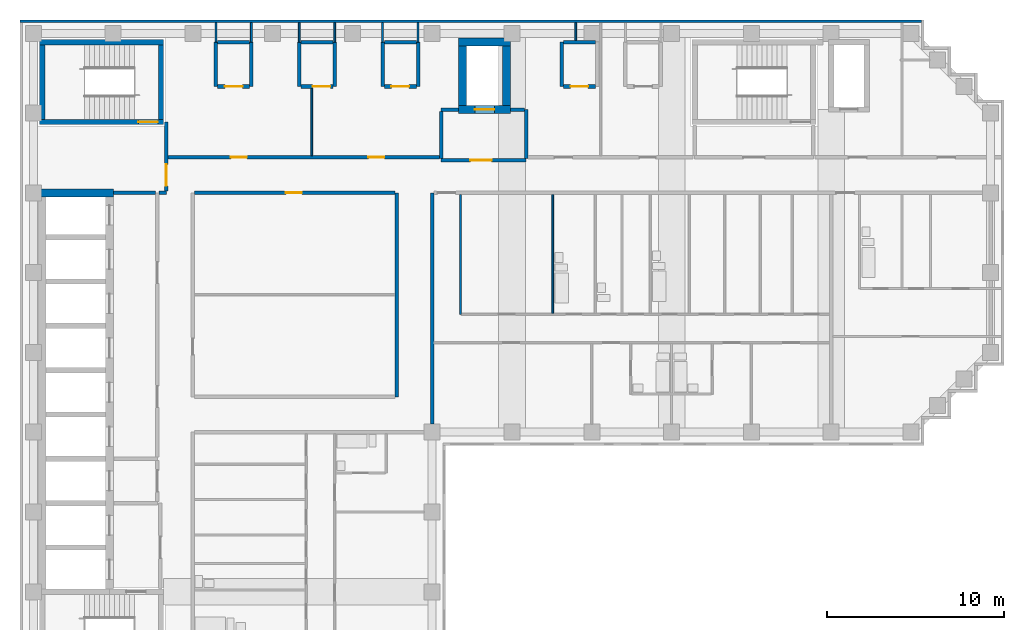
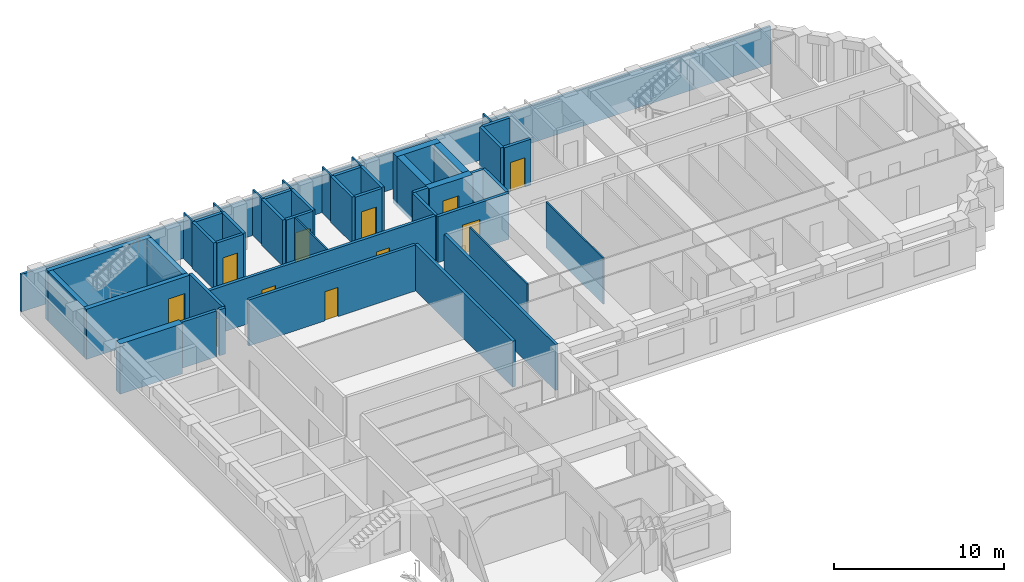
# One storey, part 5 of 10: 47 walls, 11 doors, 11 openings.
"""IFC4 building model written with IfcOpenShell, lengths in metres."""

from ifc_helpers import new_model, si_unit, direction, frame, frame_2d, origin, place, context, subcontext, project, spatial, rectangle, extrude, material, layer, layer_set, type_object, element, fill, save


model = new_model("IFC4")

# Units and contexts
model_context = context("Model", 3, precision=1e-05, world=origin(), true_north=direction((0.0, 1.0)))
body_context = subcontext(model_context, "Body", "Model", "MODEL_VIEW")
ifc_project = project(units=[si_unit("LENGTHUNIT", "METRE"), si_unit("AREAUNIT", "SQUARE_METRE"), si_unit("VOLUMEUNIT", "CUBIC_METRE"), si_unit("PLANEANGLEUNIT", "RADIAN"), si_unit("MASSUNIT", "GRAM", prefix="KILO")], contexts=[model_context])

# Site, building, storey
site_placement = place(None, origin())
site = spatial("IfcSite", under=ifc_project, at=site_placement, CompositionType="ELEMENT")
building_placement = place(site_placement, origin())
building = spatial("IfcBuilding", under=site, at=building_placement, Name="Firuza Court", CompositionType="ELEMENT")
storey_placement = place(building_placement, frame((0.0, 0.0, 204.199951171875)))
storey = spatial("IfcBuildingStorey", under=building, at=storey_placement, Name="L52", CompositionType="ELEMENT", Elevation=204.199951171875)

# Wall
ifc_material_1 = material(Name="Moisture-resistant gypsum board partition")
ifc_layer_1 = layer(ifc_material_1, 0.10009765625)
ifc_layer_set_1 = layer_set([ifc_layer_1], Name="Moisture-resistant gypsum board partition")
wall_type_1 = type_object("IfcWallType", Name="Bathroom partition 100", PredefinedType="PLUMBINGWALL", material=ifc_layer_set_1)
wall_1_placement = place(storey_placement, frame((29.300048828125, 42.699951171875, 0.0), z_axis=(0.0, 0.0, 1.0), x_axis=(0.0, 1.0, 0.0)))
element("IfcWall", 1, at=wall_1_placement, inside=storey, type_object=wall_type_1, Name="Bathroom partition 100 L52", PredefinedType="PLUMBINGWALL", context=body_context, shape_type="SweptSolid", body=[
    extrude(rectangle(XDim=6.699951171875, YDim=0.10009765625, at=frame_2d((3.35009765625, 0.0))), origin(), (0.0, 0.0, 1.0), 3.300048828125),
])

# Wall, opening, door
ifc_material_2 = material(Name="Concrete C50/60", Category="concrete")
ifc_layer_2 = layer(ifc_material_2, 0.300048828125)
ifc_layer_set_2 = layer_set([ifc_layer_2], Name="Concrete C50/60")
wall_type_2 = type_object("IfcWallType", Name="Core wall 300 C50/60", PredefinedType="SHEAR", material=ifc_layer_set_2)
wall_2_placement = place(storey_placement, frame((0.35009765625, 53.5, -0.300048828125), z_axis=(0.0, 0.0, 1.0), x_axis=(1.0, 0.0, 0.0)))
wall_2 = element("IfcWall", 2, at=wall_2_placement, inside=storey, type_object=wall_type_2, Name="Core wall stair L52", PredefinedType="SHEAR", context=body_context, shape_type="SweptSolid", body=[
    extrude(rectangle(XDim=7.0, YDim=0.300048828125, at=frame_2d((3.5, 0.0))), origin(), (0.0, 0.0, 1.0), 3.60009765625),
])
opening_1_placement = place(wall_2_placement, frame((5.580078125, 0.0, 0.300048828125)))
opening_1 = element("IfcOpeningElement", 3, at=opening_1_placement, cuts=wall_2, Name="Opening D52014", PredefinedType="OPENING", context=body_context, shape_type="SweptSolid", body=[
    extrude(rectangle(XDim=1.10009765625, YDim=2.10009765625, at=frame_2d((0.550048828125, 1.050048828125))), frame((0.0, 0.162109375, 0.0), z_axis=(0.0, -1.0, 0.0), x_axis=(1.0, 0.0, 0.0)), (0.0, 0.0, 1.0), 0.323974609375),
])
ifc_material_3 = material(Name="Timber door leaf in hardwood frame", Category="wood")
door_type_1 = type_object("IfcDoorType", Name="Stair door 1100", OperationType="SINGLE_SWING_LEFT", PredefinedType="DOOR", material=ifc_material_3)
door_1_placement = place(opening_1_placement, origin())
door_1 = element("IfcDoor", 4, at=door_1_placement, inside=storey, type_object=door_type_1, Name="Stair door S3", OperationType="SINGLE_SWING_RIGHT", OverallHeight=2.10009765625, OverallWidth=1.10009765625, PredefinedType="DOOR", context=body_context, shape_type="SweptSolid", body=[
    extrude(rectangle(XDim=1.10009765625, YDim=2.10009765625, at=frame_2d((0.550048828125, 1.050048828125))), frame((0.0, 0.02490234375, 0.0), z_axis=(0.0, -1.0, 0.0), x_axis=(1.0, 0.0, 0.0)), (0.0, 0.0, 1.0), 0.050048828125),
])
fill(opening_1, door_1)

# Walls
wall_3_placement = place(storey_placement, frame((0.35009765625, 58.0, -0.300048828125), z_axis=(0.0, 0.0, 1.0), x_axis=(1.0, 0.0, 0.0)))
element("IfcWall", 5, at=wall_3_placement, inside=storey, type_object=wall_type_2, Name="Core wall stair L52", PredefinedType="SHEAR", context=body_context, shape_type="SweptSolid", body=[
    extrude(rectangle(XDim=7.0, YDim=0.300048828125, at=frame_2d((3.5, 0.0))), origin(), (0.0, 0.0, 1.0), 3.60009765625),
])
for number, where, z_axis, x_axis, name in (
    (6, (0.5, 53.64990234375, -0.300048828125), (0.0, 0.0, 1.0), (0.0, 1.0, 0.0), "Core wall stair L52"),
    (7, (7.199951171875, 53.64990234375, -0.300048828125), (0.0, 0.0, 1.0), (0.0, 1.0, 0.0), "Core wall stair L52"),
):
    element("IfcWall", number, at=place(storey_placement, frame(where, z_axis=z_axis, x_axis=x_axis)), inside=storey, type_object=wall_type_2, Name=name, PredefinedType="SHEAR", context=body_context, shape_type="SweptSolid", body=[
        extrude(rectangle(XDim=4.2001953125, YDim=0.300048828125, at=frame_2d((2.10009765625, 0.0))), origin(), (0.0, 0.0, 1.0), 3.60009765625),
    ])
ifc_layer_3 = layer(ifc_material_2, 0.449951171875)
ifc_layer_set_3 = layer_set([ifc_layer_3], Name="Concrete C50/60")
wall_type_3 = type_object("IfcWallType", Name="Core wall 450 C50/60", PredefinedType="SHEAR", material=ifc_layer_set_3)
wall_4_placement = place(storey_placement, frame((0.27490234375, 49.5, -0.300048828125), z_axis=(0.0, 0.0, 1.0), x_axis=(1.0, 0.0, 0.0)))
element("IfcWall", 8, at=wall_4_placement, inside=storey, type_object=wall_type_3, Name="Core wall lift shaft L52", PredefinedType="SHEAR", context=body_context, shape_type="SweptSolid", body=[
    extrude(rectangle(XDim=4.25, YDim=0.449951171875, at=frame_2d((2.125, 0.0))), origin(), (0.0, 0.0, 1.0), 3.60009765625),
])

# Wall, opening, door
wall_5_placement = place(storey_placement, frame((23.97509765625, 54.199951171875, -0.300048828125), z_axis=(0.0, 0.0, 1.0), x_axis=(1.0, 0.0, 0.0)))
wall_5 = element("IfcWall", 9, at=wall_5_placement, inside=storey, type_object=wall_type_3, Name="Core wall lift shaft L52", PredefinedType="SHEAR", context=body_context, shape_type="SweptSolid", body=[
    extrude(rectangle(XDim=2.949951171875, YDim=0.449951171875, at=frame_2d((1.47509765625, 0.0))), origin(), (0.0, 0.0, 1.0), 3.60009765625),
])
opening_2_placement = place(wall_5_placement, frame((0.925048828125, 0.0, 0.300048828125)))
opening_2 = element("IfcOpeningElement", 10, at=opening_2_placement, cuts=wall_5, Name="Opening LD-FL3-52", PredefinedType="OPENING", context=body_context, shape_type="SweptSolid", body=[
    extrude(rectangle(XDim=1.10009765625, YDim=2.10009765625, at=frame_2d((0.550048828125, 1.050048828125))), frame((0.0, 0.23681640625, 0.0), z_axis=(0.0, -1.0, 0.0), x_axis=(1.0, 0.0, 0.0)), (0.0, 0.0, 1.0), 0.473876953125),
])
ifc_material_4 = material(Name="Stainless steel 1.4301 door leaf", Category="steel")
door_type_2 = type_object("IfcDoorType", Name="Lift landing door 1100", OperationType="SLIDING_TO_LEFT", PredefinedType="DOOR", material=ifc_material_4)
door_2_placement = place(opening_2_placement, origin())
door_2 = element("IfcDoor", 11, at=door_2_placement, inside=storey, type_object=door_type_2, Name="Landing door FL3", OperationType="SLIDING_TO_LEFT", OverallHeight=2.10009765625, OverallWidth=1.10009765625, PredefinedType="DOOR", context=body_context, shape_type="SweptSolid", body=[
    extrude(rectangle(XDim=1.10009765625, YDim=2.10009765625, at=frame_2d((0.550048828125, 1.050048828125))), frame((0.0, 0.02490234375, 0.0), z_axis=(0.0, -1.0, 0.0), x_axis=(1.0, 0.0, 0.0)), (0.0, 0.0, 1.0), 0.050048828125),
])
fill(opening_2, door_2)

# Walls
wall_6_placement = place(storey_placement, frame((23.97509765625, 58.0, -0.300048828125), z_axis=(0.0, 0.0, 1.0), x_axis=(1.0, 0.0, 0.0)))
element("IfcWall", 12, at=wall_6_placement, inside=storey, type_object=wall_type_3, Name="Core wall lift shaft L52", PredefinedType="SHEAR", context=body_context, shape_type="SweptSolid", body=[
    extrude(rectangle(XDim=2.949951171875, YDim=0.449951171875, at=frame_2d((1.47509765625, 0.0))), origin(), (0.0, 0.0, 1.0), 3.60009765625),
])
for number, where, z_axis, x_axis, name in (
    (13, (24.199951171875, 54.425048828125, -0.300048828125), (0.0, 0.0, 1.0), (0.0, 1.0, 0.0), "Core wall lift shaft L52"),
    (14, (26.699951171875, 54.425048828125, -0.300048828125), (0.0, 0.0, 1.0), (0.0, 1.0, 0.0), "Core wall lift shaft L52"),
):
    element("IfcWall", number, at=place(storey_placement, frame(where, z_axis=z_axis, x_axis=x_axis)), inside=storey, type_object=wall_type_3, Name=name, PredefinedType="SHEAR", context=body_context, shape_type="SweptSolid", body=[
        extrude(rectangle(XDim=3.349853515625, YDim=0.449951171875, at=frame_2d((1.6748046875, 0.0))), origin(), (0.0, 0.0, 1.0), 3.60009765625),
    ])
ifc_material_5 = material(Name="Blockwork, plastered both sides", Category="masonry")
ifc_layer_4 = layer(ifc_material_5, 0.199951171875)
ifc_layer_set_4 = layer_set([ifc_layer_4], Name="Blockwork, plastered both sides")
wall_type_4 = type_object("IfcWallType", Name="Corridor wall 200", PredefinedType="PARTITIONING", material=ifc_layer_set_4)
wall_7_placement = place(storey_placement, frame((20.5, 38.0, 0.0), z_axis=(0.0, 0.0, 1.0), x_axis=(0.0, 1.0, 0.0)))
element("IfcWall", 15, at=wall_7_placement, inside=storey, type_object=wall_type_4, Name="Corridor wall 200 L52", PredefinedType="PARTITIONING", context=body_context, shape_type="SweptSolid", body=[
    extrude(rectangle(XDim=11.5, YDim=0.199951171875, at=frame_2d((5.75, 0.0))), origin(), (0.0, 0.0, 1.0), 3.300048828125),
])

# Wall, opening, door
wall_8_placement = place(storey_placement, frame((9.10009765625, 49.5, 0.0), z_axis=(0.0, 0.0, 1.0), x_axis=(1.0, 0.0, 0.0)))
wall_8 = element("IfcWall", 16, at=wall_8_placement, inside=storey, type_object=wall_type_4, Name="Corridor wall 200 L52", PredefinedType="PARTITIONING", context=body_context, shape_type="SweptSolid", body=[
    extrude(rectangle(XDim=11.2998046875, YDim=0.199951171875, at=frame_2d((5.64990234375, 0.0))), origin(), (0.0, 0.0, 1.0), 3.300048828125),
])
opening_3_placement = place(wall_8_placement, frame((5.14990234375, 0.0, 0.0)))
opening_3 = element("IfcOpeningElement", 17, at=opening_3_placement, cuts=wall_8, Name="Opening D52056", PredefinedType="OPENING", context=body_context, shape_type="SweptSolid", body=[
    extrude(rectangle(XDim=0.89990234375, YDim=2.10009765625, at=frame_2d((0.449951171875, 1.050048828125))), frame((0.0, 0.11181640625, 0.0), z_axis=(0.0, -1.0, 0.0), x_axis=(1.0, 0.0, 0.0)), (0.0, 0.0, 1.0), 0.223876953125),
])
ifc_material_6 = material(Name="Timber door leaf in hardwood frame", Category="wood")
door_type_3 = type_object("IfcDoorType", Name="Room door 900 EI 30", OperationType="SINGLE_SWING_LEFT", PredefinedType="DOOR", material=ifc_material_6)
door_3_placement = place(opening_3_placement, origin())
door_3 = element("IfcDoor", 18, at=door_3_placement, inside=storey, type_object=door_type_3, Name="Residents' club lounge door", OperationType="SINGLE_SWING_LEFT", OverallHeight=2.10009765625, OverallWidth=0.89990234375, PredefinedType="DOOR", context=body_context, shape_type="SweptSolid", body=[
    extrude(rectangle(XDim=0.89990234375, YDim=2.10009765625, at=frame_2d((0.449951171875, 1.050048828125))), frame((0.0, 0.02490234375, 0.0), z_axis=(0.0, -1.0, 0.0), x_axis=(1.0, 0.0, 0.0)), (0.0, 0.0, 1.0), 0.050048828125),
])
fill(opening_3, door_3)

# Wall, openings, doors
wall_9_placement = place(storey_placement, frame((7.60009765625, 51.5, 0.0), z_axis=(0.0, 0.0, 1.0), x_axis=(1.0, 0.0, 0.0)))
wall_9 = element("IfcWall", 19, at=wall_9_placement, inside=storey, type_object=wall_type_4, Name="Corridor wall 200 L52", PredefinedType="PARTITIONING", context=body_context, shape_type="SweptSolid", body=[
    extrude(rectangle(XDim=15.2998046875, YDim=0.199951171875, at=frame_2d((7.64990234375, 0.0))), origin(), (0.0, 0.0, 1.0), 3.300048828125),
])
opening_4_placement = place(wall_9_placement, frame((3.550048828125, 0.0, 0.0)))
opening_4 = element("IfcOpeningElement", 20, at=opening_4_placement, cuts=wall_9, Name="Opening D52059", PredefinedType="OPENING", context=body_context, shape_type="SweptSolid", body=[
    extrude(rectangle(XDim=0.89990234375, YDim=2.10009765625, at=frame_2d((0.449951171875, 1.050048828125))), frame((0.0, 0.11181640625, 0.0), z_axis=(0.0, -1.0, 0.0), x_axis=(1.0, 0.0, 0.0)), (0.0, 0.0, 1.0), 0.223876953125),
])
opening_5_placement = place(wall_9_placement, frame((11.300048828125, 0.0, 0.0)))
opening_5 = element("IfcOpeningElement", 21, at=opening_5_placement, cuts=wall_9, Name="Opening D52060", PredefinedType="OPENING", context=body_context, shape_type="SweptSolid", body=[
    extrude(rectangle(XDim=0.89990234375, YDim=2.10009765625, at=frame_2d((0.449951171875, 1.050048828125))), frame((0.0, 0.11181640625, 0.0), z_axis=(0.0, -1.0, 0.0), x_axis=(1.0, 0.0, 0.0)), (0.0, 0.0, 1.0), 0.223876953125),
])
door_4_placement = place(opening_4_placement, origin())
door_4 = element("IfcDoor", 22, at=door_4_placement, inside=storey, type_object=door_type_3, Name="Meeting room door", OperationType="SINGLE_SWING_LEFT", OverallHeight=2.10009765625, OverallWidth=0.89990234375, PredefinedType="DOOR", context=body_context, shape_type="SweptSolid", body=[
    extrude(rectangle(XDim=0.89990234375, YDim=2.10009765625, at=frame_2d((0.449951171875, 1.050048828125))), frame((0.0, 0.02490234375, 0.0), z_axis=(0.0, -1.0, 0.0), x_axis=(1.0, 0.0, 0.0)), (0.0, 0.0, 1.0), 0.050048828125),
])
fill(opening_4, door_4)
door_5_placement = place(opening_5_placement, origin())
door_5 = element("IfcDoor", 23, at=door_5_placement, inside=storey, type_object=door_type_3, Name="Meeting room door", OperationType="SINGLE_SWING_LEFT", OverallHeight=2.10009765625, OverallWidth=0.89990234375, PredefinedType="DOOR", context=body_context, shape_type="SweptSolid", body=[
    extrude(rectangle(XDim=0.89990234375, YDim=2.10009765625, at=frame_2d((0.449951171875, 1.050048828125))), frame((0.0, 0.02490234375, 0.0), z_axis=(0.0, -1.0, 0.0), x_axis=(1.0, 0.0, 0.0)), (0.0, 0.0, 1.0), 0.050048828125),
])
fill(opening_5, door_5)

# Walls
ifc_material_7 = material(Name="Timber stud partition, plasterboard both sides", Category="wood")
ifc_layer_5 = layer(ifc_material_7, 0.10009765625)
ifc_layer_set_5 = layer_set([ifc_layer_5], Name="Timber stud partition, plasterboard both sides")
wall_type_5 = type_object("IfcWallType", Name="Partition wall 100", PredefinedType="PARTITIONING", material=ifc_layer_set_5)
wall_10_placement = place(storey_placement, frame((24.10009765625, 42.64990234375, 0.0), z_axis=(0.0, 0.0, 1.0), x_axis=(0.0, 1.0, 0.0)))
element("IfcWall", 24, at=wall_10_placement, inside=storey, type_object=wall_type_5, Name="Partition wall 100 L52", PredefinedType="PARTITIONING", context=body_context, shape_type="SweptSolid", body=[
    extrude(rectangle(XDim=6.75, YDim=0.10009765625, at=frame_2d((3.375, 0.0))), origin(), (0.0, 0.0, 1.0), 3.300048828125),
])
wall_11_placement = place(storey_placement, frame((15.699951171875, 51.60009765625, 0.0), z_axis=(0.0, 0.0, 1.0), x_axis=(0.0, 1.0, 0.0)))
element("IfcWall", 25, at=wall_11_placement, inside=storey, type_object=wall_type_5, Name="Partition wall 100 L52", PredefinedType="PARTITIONING", context=body_context, shape_type="SweptSolid", body=[
    extrude(rectangle(XDim=3.7998046875, YDim=0.10009765625, at=frame_2d((1.89990234375, 0.0))), origin(), (0.0, 0.0, 1.0), 3.300048828125),
])
for number, where, z_axis, x_axis, name in (
    (26, (10.300048828125, 58.0, 0.0), (0.0, 0.0, 1.0), (0.0, 1.0, 0.0), "Partition wall 100 L52"),
    (27, (12.300048828125, 58.0, 0.0), (0.0, 0.0, 1.0), (0.0, 1.0, 0.0), "Partition wall 100 L52"),
    (28, (15.0, 58.0, 0.0), (0.0, 0.0, 1.0), (0.0, 1.0, 0.0), "Partition wall 100 L52"),
    (29, (17.0, 58.0, 0.0), (0.0, 0.0, 1.0), (0.0, 1.0, 0.0), "Partition wall 100 L52"),
    (30, (19.699951171875, 58.0, 0.0), (0.0, 0.0, 1.0), (0.0, 1.0, 0.0), "Partition wall 100 L52"),
    (31, (21.699951171875, 58.0, 0.0), (0.0, 0.0, 1.0), (0.0, 1.0, 0.0), "Partition wall 100 L52"),
):
    element("IfcWall", number, at=place(storey_placement, frame(where, z_axis=z_axis, x_axis=x_axis)), inside=storey, type_object=wall_type_5, Name=name, PredefinedType="PARTITIONING", context=body_context, shape_type="SweptSolid", body=[
        extrude(rectangle(XDim=1.10009765625, YDim=0.10009765625, at=frame_2d((0.550048828125, 0.0))), origin(), (0.0, 0.0, 1.0), 3.300048828125),
    ])
wall_12_placement = place(storey_placement, frame((30.60009765625, 58.10009765625, 0.0), z_axis=(0.0, 0.0, 1.0), x_axis=(0.0, 1.0, 0.0)))
element("IfcWall", 32, at=wall_12_placement, inside=storey, type_object=wall_type_5, Name="Partition wall 100 L52", PredefinedType="PARTITIONING", context=body_context, shape_type="SweptSolid", body=[
    extrude(rectangle(XDim=1.0, YDim=0.10009765625, at=frame_2d((0.5, 0.0))), origin(), (0.0, 0.0, 1.0), 3.300048828125),
])
ifc_layer_6 = layer(ifc_material_5, 0.199951171875)
ifc_layer_set_6 = layer_set([ifc_layer_6], Name="Blockwork, plastered both sides")
wall_type_6 = type_object("IfcWallType", Name="Party wall 200", PredefinedType="PARTITIONING", material=ifc_layer_set_6)
wall_13_placement = place(storey_placement, frame((22.5, 36.449951171875, 0.0), z_axis=(0.0, 0.0, 1.0), x_axis=(0.0, 1.0, 0.0)))
element("IfcWall", 33, at=wall_13_placement, inside=storey, type_object=wall_type_6, Name="Party wall 200 L52", PredefinedType="PARTITIONING", context=body_context, shape_type="SweptSolid", body=[
    extrude(rectangle(XDim=13.050048828125, YDim=0.199951171875, at=frame_2d((6.52490234375, 0.0))), origin(), (0.0, 0.0, 1.0), 3.300048828125),
])
ifc_material_8 = material(Name="Blockwork, fire-rated", Category="masonry")
ifc_layer_7 = layer(ifc_material_8, 0.199951171875)
ifc_layer_set_7 = layer_set([ifc_layer_7], Name="Blockwork, fire-rated")
wall_type_7 = type_object("IfcWallType", Name="Plant room wall 200", PredefinedType="PARTITIONING", material=ifc_layer_set_7)
wall_14_placement = place(storey_placement, frame((10.300048828125, 55.5, 0.0), z_axis=(0.0, 0.0, 1.0), x_axis=(0.0, 1.0, 0.0)))
element("IfcWall", 34, at=wall_14_placement, inside=storey, type_object=wall_type_7, Name="Plant room wall 200 L52", PredefinedType="PARTITIONING", context=body_context, shape_type="SweptSolid", body=[
    extrude(rectangle(XDim=2.5, YDim=0.199951171875, at=frame_2d((1.25, 0.0))), origin(), (0.0, 0.0, 1.0), 3.300048828125),
])

# Wall, opening, door
wall_15_placement = place(storey_placement, frame((10.39990234375, 55.5, 0.0), z_axis=(0.0, 0.0, 1.0), x_axis=(1.0, 0.0, 0.0)))
wall_15 = element("IfcWall", 35, at=wall_15_placement, inside=storey, type_object=wall_type_7, Name="Plant room wall 200 L52", PredefinedType="PARTITIONING", context=body_context, shape_type="SweptSolid", body=[
    extrude(rectangle(XDim=1.800048828125, YDim=0.199951171875, at=frame_2d((0.89990234375, 0.0))), origin(), (0.0, 0.0, 1.0), 3.300048828125),
])
opening_6_placement = place(wall_15_placement, frame((0.39990234375, 0.0, 0.0)))
opening_6 = element("IfcOpeningElement", 36, at=opening_6_placement, cuts=wall_15, Name="Opening D52065", PredefinedType="OPENING", context=body_context, shape_type="SweptSolid", body=[
    extrude(rectangle(XDim=1.0, YDim=2.10009765625, at=frame_2d((0.5, 1.050048828125))), frame((0.0, 0.11181640625, 0.0), z_axis=(0.0, -1.0, 0.0), x_axis=(1.0, 0.0, 0.0)), (0.0, 0.0, 1.0), 0.223876953125),
])
ifc_material_9 = material(Name="Timber door leaf in hardwood frame", Category="wood")
door_type_4 = type_object("IfcDoorType", Name="Riser door 1000", OperationType="SINGLE_SWING_LEFT", PredefinedType="DOOR", material=ifc_material_9)
door_6_placement = place(opening_6_placement, origin())
door_6 = element("IfcDoor", 37, at=door_6_placement, inside=storey, type_object=door_type_4, Name="Comms riser door", OperationType="SINGLE_SWING_LEFT", OverallHeight=2.10009765625, OverallWidth=1.0, PredefinedType="DOOR", context=body_context, shape_type="SweptSolid", body=[
    extrude(rectangle(XDim=1.0, YDim=2.10009765625, at=frame_2d((0.5, 1.050048828125))), frame((0.0, 0.02490234375, 0.0), z_axis=(0.0, -1.0, 0.0), x_axis=(1.0, 0.0, 0.0)), (0.0, 0.0, 1.0), 0.050048828125),
])
fill(opening_6, door_6)

# Walls
for number, where, z_axis, x_axis, name in (
    (38, (12.300048828125, 55.5, 0.0), (0.0, 0.0, 1.0), (0.0, 1.0, 0.0), "Plant room wall 200 L52"),
    (39, (15.0, 55.5, 0.0), (0.0, 0.0, 1.0), (0.0, 1.0, 0.0), "Plant room wall 200 L52"),
):
    element("IfcWall", number, at=place(storey_placement, frame(where, z_axis=z_axis, x_axis=x_axis)), inside=storey, type_object=wall_type_7, Name=name, PredefinedType="PARTITIONING", context=body_context, shape_type="SweptSolid", body=[
        extrude(rectangle(XDim=2.5, YDim=0.199951171875, at=frame_2d((1.25, 0.0))), origin(), (0.0, 0.0, 1.0), 3.300048828125),
    ])

# Wall, opening, door
wall_16_placement = place(storey_placement, frame((15.10009765625, 55.5, 0.0), z_axis=(0.0, 0.0, 1.0), x_axis=(1.0, 0.0, 0.0)))
wall_16 = element("IfcWall", 40, at=wall_16_placement, inside=storey, type_object=wall_type_7, Name="Plant room wall 200 L52", PredefinedType="PARTITIONING", context=body_context, shape_type="SweptSolid", body=[
    extrude(rectangle(XDim=1.7998046875, YDim=0.199951171875, at=frame_2d((0.89990234375, 0.0))), origin(), (0.0, 0.0, 1.0), 3.300048828125),
])
opening_7_placement = place(wall_16_placement, frame((0.64990234375, 0.0, 0.0)))
opening_7 = element("IfcOpeningElement", 41, at=opening_7_placement, cuts=wall_16, Name="Opening D52066", PredefinedType="OPENING", context=body_context, shape_type="SweptSolid", body=[
    extrude(rectangle(XDim=1.0, YDim=2.10009765625, at=frame_2d((0.5, 1.050048828125))), frame((0.0, 0.11181640625, 0.0), z_axis=(0.0, -1.0, 0.0), x_axis=(1.0, 0.0, 0.0)), (0.0, 0.0, 1.0), 0.223876953125),
])
door_7_placement = place(opening_7_placement, origin())
door_7 = element("IfcDoor", 42, at=door_7_placement, inside=storey, type_object=door_type_4, Name="Electrical riser door", OperationType="SINGLE_SWING_RIGHT", OverallHeight=2.10009765625, OverallWidth=1.0, PredefinedType="DOOR", context=body_context, shape_type="SweptSolid", body=[
    extrude(rectangle(XDim=1.0, YDim=2.10009765625, at=frame_2d((0.5, 1.050048828125))), frame((0.0, 0.02490234375, 0.0), z_axis=(0.0, -1.0, 0.0), x_axis=(1.0, 0.0, 0.0)), (0.0, 0.0, 1.0), 0.050048828125),
])
fill(opening_7, door_7)

# Walls
for number, where, z_axis, x_axis, name in (
    (43, (17.0, 55.5, 0.0), (0.0, 0.0, 1.0), (0.0, 1.0, 0.0), "Plant room wall 200 L52"),
    (44, (19.699951171875, 55.5, 0.0), (0.0, 0.0, 1.0), (0.0, 1.0, 0.0), "Plant room wall 200 L52"),
):
    element("IfcWall", number, at=place(storey_placement, frame(where, z_axis=z_axis, x_axis=x_axis)), inside=storey, type_object=wall_type_7, Name=name, PredefinedType="PARTITIONING", context=body_context, shape_type="SweptSolid", body=[
        extrude(rectangle(XDim=2.5, YDim=0.199951171875, at=frame_2d((1.25, 0.0))), origin(), (0.0, 0.0, 1.0), 3.300048828125),
    ])

# Wall, opening, door
wall_17_placement = place(storey_placement, frame((19.800048828125, 55.5, 0.0), z_axis=(0.0, 0.0, 1.0), x_axis=(1.0, 0.0, 0.0)))
wall_17 = element("IfcWall", 45, at=wall_17_placement, inside=storey, type_object=wall_type_7, Name="Plant room wall 200 L52", PredefinedType="PARTITIONING", context=body_context, shape_type="SweptSolid", body=[
    extrude(rectangle(XDim=1.800048828125, YDim=0.199951171875, at=frame_2d((0.89990234375, 0.0))), origin(), (0.0, 0.0, 1.0), 3.300048828125),
])
opening_8_placement = place(wall_17_placement, frame((0.39990234375, 0.0, 0.0)))
opening_8 = element("IfcOpeningElement", 46, at=opening_8_placement, cuts=wall_17, Name="Opening D52067", PredefinedType="OPENING", context=body_context, shape_type="SweptSolid", body=[
    extrude(rectangle(XDim=1.0, YDim=2.10009765625, at=frame_2d((0.5, 1.050048828125))), frame((0.0, 0.11181640625, 0.0), z_axis=(0.0, -1.0, 0.0), x_axis=(1.0, 0.0, 0.0)), (0.0, 0.0, 1.0), 0.223876953125),
])
door_8_placement = place(opening_8_placement, origin())
door_8 = element("IfcDoor", 47, at=door_8_placement, inside=storey, type_object=door_type_4, Name="Duct riser door", OperationType="SINGLE_SWING_LEFT", OverallHeight=2.10009765625, OverallWidth=1.0, PredefinedType="DOOR", context=body_context, shape_type="SweptSolid", body=[
    extrude(rectangle(XDim=1.0, YDim=2.10009765625, at=frame_2d((0.5, 1.050048828125))), frame((0.0, 0.02490234375, 0.0), z_axis=(0.0, -1.0, 0.0), x_axis=(1.0, 0.0, 0.0)), (0.0, 0.0, 1.0), 0.050048828125),
])
fill(opening_8, door_8)

# Walls
for number, where, z_axis, x_axis, name in (
    (48, (21.699951171875, 55.5, 0.0), (0.0, 0.0, 1.0), (0.0, 1.0, 0.0), "Plant room wall 200 L52"),
    (49, (29.800048828125, 55.5, 0.0), (0.0, 0.0, 1.0), (0.0, 1.0, 0.0), "Plant room wall 200 L52"),
):
    element("IfcWall", number, at=place(storey_placement, frame(where, z_axis=z_axis, x_axis=x_axis)), inside=storey, type_object=wall_type_7, Name=name, PredefinedType="PARTITIONING", context=body_context, shape_type="SweptSolid", body=[
        extrude(rectangle(XDim=2.5, YDim=0.199951171875, at=frame_2d((1.25, 0.0))), origin(), (0.0, 0.0, 1.0), 3.300048828125),
    ])

# Wall, opening, door
wall_18_placement = place(storey_placement, frame((29.89990234375, 55.5, 0.0), z_axis=(0.0, 0.0, 1.0), x_axis=(1.0, 0.0, 0.0)))
wall_18 = element("IfcWall", 50, at=wall_18_placement, inside=storey, type_object=wall_type_7, Name="Plant room wall 200 L52", PredefinedType="PARTITIONING", context=body_context, shape_type="SweptSolid", body=[
    extrude(rectangle(XDim=1.800048828125, YDim=0.199951171875, at=frame_2d((0.89990234375, 0.0))), origin(), (0.0, 0.0, 1.0), 3.300048828125),
])
opening_9_placement = place(wall_18_placement, frame((0.39990234375, 0.0, 0.0)))
opening_9 = element("IfcOpeningElement", 51, at=opening_9_placement, cuts=wall_18, Name="Opening D52068", PredefinedType="OPENING", context=body_context, shape_type="SweptSolid", body=[
    extrude(rectangle(XDim=1.0, YDim=2.10009765625, at=frame_2d((0.5, 1.050048828125))), frame((0.0, 0.11181640625, 0.0), z_axis=(0.0, -1.0, 0.0), x_axis=(1.0, 0.0, 0.0)), (0.0, 0.0, 1.0), 0.223876953125),
])
door_9_placement = place(opening_9_placement, origin())
door_9 = element("IfcDoor", 52, at=door_9_placement, inside=storey, type_object=door_type_4, Name="Electrical riser door", OperationType="SINGLE_SWING_LEFT", OverallHeight=2.10009765625, OverallWidth=1.0, PredefinedType="DOOR", context=body_context, shape_type="SweptSolid", body=[
    extrude(rectangle(XDim=1.0, YDim=2.10009765625, at=frame_2d((0.5, 1.050048828125))), frame((0.0, 0.02490234375, 0.0), z_axis=(0.0, -1.0, 0.0), x_axis=(1.0, 0.0, 0.0)), (0.0, 0.0, 1.0), 0.050048828125),
])
fill(opening_9, door_9)

# Walls
wall_19_placement = place(storey_placement, frame((10.39990234375, 58.0, 0.0), z_axis=(0.0, 0.0, 1.0), x_axis=(1.0, 0.0, 0.0)))
element("IfcWall", 53, at=wall_19_placement, inside=storey, type_object=wall_type_7, Name="Plant room wall 200 L52", PredefinedType="PARTITIONING", context=body_context, shape_type="SweptSolid", body=[
    extrude(rectangle(XDim=1.800048828125, YDim=0.199951171875, at=frame_2d((0.89990234375, 0.0))), origin(), (0.0, 0.0, 1.0), 3.300048828125),
])
wall_20_placement = place(storey_placement, frame((15.10009765625, 58.0, 0.0), z_axis=(0.0, 0.0, 1.0), x_axis=(1.0, 0.0, 0.0)))
element("IfcWall", 54, at=wall_20_placement, inside=storey, type_object=wall_type_7, Name="Plant room wall 200 L52", PredefinedType="PARTITIONING", context=body_context, shape_type="SweptSolid", body=[
    extrude(rectangle(XDim=1.7998046875, YDim=0.199951171875, at=frame_2d((0.89990234375, 0.0))), origin(), (0.0, 0.0, 1.0), 3.300048828125),
])
for number, where, z_axis, x_axis, name in (
    (55, (19.800048828125, 58.0, 0.0), (0.0, 0.0, 1.0), (1.0, 0.0, 0.0), "Plant room wall 200 L52"),
    (56, (29.89990234375, 58.0, 0.0), (0.0, 0.0, 1.0), (1.0, 0.0, 0.0), "Plant room wall 200 L52"),
):
    element("IfcWall", number, at=place(storey_placement, frame(where, z_axis=z_axis, x_axis=x_axis)), inside=storey, type_object=wall_type_7, Name=name, PredefinedType="PARTITIONING", context=body_context, shape_type="SweptSolid", body=[
        extrude(rectangle(XDim=1.800048828125, YDim=0.199951171875, at=frame_2d((0.89990234375, 0.0))), origin(), (0.0, 0.0, 1.0), 3.300048828125),
    ])
ifc_material_10 = material(Name="Ceramic tile", Category="ceramic")
ifc_layer_8 = layer(ifc_material_10, 0.02001953125)
ifc_material_11 = material(Name="Mineral wool insulation", Category="insulation")
ifc_layer_9 = layer(ifc_material_11, 0.050048828125)
ifc_material_12 = material(Name="Concrete C40/50 precast", Category="concrete")
ifc_layer_10 = layer(ifc_material_12, 0.080078125)
ifc_layer_set_8 = layer_set([ifc_layer_8, ifc_layer_9, ifc_layer_10], Name="Concrete C40/50 precast")
wall_type_8 = type_object("IfcWallType", Name="Precast cladding wall with turquoise TILE PANEL face 150", PredefinedType="STANDARD", material=ifc_layer_set_8)
wall_21_placement = place(storey_placement, frame((50.10009765625, 59.175048828125, 0.0), z_axis=(0.0, 0.0, 1.0), x_axis=(-1.0, 0.0, 0.0)))
element("IfcWall", 57, at=wall_21_placement, inside=storey, type_object=wall_type_8, Name="Facade wall L52 N", PredefinedType="STANDARD", context=body_context, shape_type="SweptSolid", body=[
    extrude(rectangle(XDim=50.85009765625, YDim=0.14990234375, at=frame_2d((25.425048828125, 0.0))), origin(), (0.0, 0.0, 1.0), 2.699951171875),
])
ifc_layer_11 = layer(ifc_material_8, 0.199951171875)
ifc_layer_set_9 = layer_set([ifc_layer_11], Name="Blockwork, fire-rated")
wall_type_9 = type_object("IfcWallType", Name="Shaft wall 200", PredefinedType="PARTITIONING", material=ifc_layer_set_9)
wall_22_placement = place(storey_placement, frame((4.52490234375, 49.5, 0.0), z_axis=(0.0, 0.0, 1.0), x_axis=(1.0, 0.0, 0.0)))
element("IfcWall", 58, at=wall_22_placement, inside=storey, type_object=wall_type_9, Name="Shaft wall 200 L52", PredefinedType="PARTITIONING", context=body_context, shape_type="SweptSolid", body=[
    extrude(rectangle(XDim=2.375, YDim=0.199951171875, at=frame_2d((1.1875, 0.0))), origin(), (0.0, 0.0, 1.0), 3.300048828125),
])

# Wall, opening, door
wall_23_placement = place(storey_placement, frame((23.0, 51.35009765625, 0.0), z_axis=(0.0, 0.0, 1.0), x_axis=(1.0, 0.0, 0.0)))
wall_23 = element("IfcWall", 59, at=wall_23_placement, inside=storey, type_object=wall_type_9, Name="Shaft wall 200 L52", PredefinedType="PARTITIONING", context=body_context, shape_type="SweptSolid", body=[
    extrude(rectangle(XDim=4.800048828125, YDim=0.199951171875, at=frame_2d((2.39990234375, 0.0))), origin(), (0.0, 0.0, 1.0), 3.300048828125),
])
opening_10_placement = place(wall_23_placement, frame((1.64990234375, 0.0, 0.0)))
opening_10 = element("IfcOpeningElement", 60, at=opening_10_placement, cuts=wall_23, Name="Opening D52003", PredefinedType="OPENING", context=body_context, shape_type="SweptSolid", body=[
    extrude(rectangle(XDim=1.199951171875, YDim=2.10009765625, at=frame_2d((0.60009765625, 1.050048828125))), frame((0.0, 0.11181640625, 0.0), z_axis=(0.0, -1.0, 0.0), x_axis=(1.0, 0.0, 0.0)), (0.0, 0.0, 1.0), 0.223876953125),
])
ifc_material_13 = material(Name="Timber door leaf in hardwood frame", Category="wood")
door_type_5 = type_object("IfcDoorType", Name="Lobby door 1200", OperationType="SINGLE_SWING_LEFT", PredefinedType="DOOR", material=ifc_material_13)
door_10_placement = place(opening_10_placement, origin())
door_10 = element("IfcDoor", 61, at=door_10_placement, inside=storey, type_object=door_type_5, Name="Fire-fighting lobby door", OperationType="SINGLE_SWING_LEFT", OverallHeight=2.10009765625, OverallWidth=1.199951171875, PredefinedType="DOOR", context=body_context, shape_type="SweptSolid", body=[
    extrude(rectangle(XDim=1.199951171875, YDim=2.10009765625, at=frame_2d((0.60009765625, 1.050048828125))), frame((0.0, 0.02490234375, 0.0), z_axis=(0.0, -1.0, 0.0), x_axis=(1.0, 0.0, 0.0)), (0.0, 0.0, 1.0), 0.050048828125),
])
fill(opening_10, door_10)

# Walls
wall_24_placement = place(storey_placement, frame((27.800048828125, 51.449951171875, 0.0), z_axis=(0.0, 0.0, 1.0), x_axis=(0.0, 1.0, 0.0)))
element("IfcWall", 62, at=wall_24_placement, inside=storey, type_object=wall_type_9, Name="Shaft wall 200 L52", PredefinedType="PARTITIONING", context=body_context, shape_type="SweptSolid", body=[
    extrude(rectangle(XDim=2.75, YDim=0.199951171875, at=frame_2d((1.375, 0.0))), origin(), (0.0, 0.0, 1.0), 3.300048828125),
])
wall_25_placement = place(storey_placement, frame((23.0, 54.199951171875, 0.0), z_axis=(0.0, 0.0, 1.0), x_axis=(1.0, 0.0, 0.0)))
element("IfcWall", 63, at=wall_25_placement, inside=storey, type_object=wall_type_9, Name="Shaft wall 200 L52", PredefinedType="PARTITIONING", context=body_context, shape_type="SweptSolid", body=[
    extrude(rectangle(XDim=0.97509765625, YDim=0.199951171875, at=frame_2d((0.487548828125, 0.0))), origin(), (0.0, 0.0, 1.0), 3.300048828125),
])
wall_26_placement = place(storey_placement, frame((26.925048828125, 54.199951171875, 0.0), z_axis=(0.0, 0.0, 1.0), x_axis=(1.0, 0.0, 0.0)))
element("IfcWall", 64, at=wall_26_placement, inside=storey, type_object=wall_type_9, Name="Shaft wall 200 L52", PredefinedType="PARTITIONING", context=body_context, shape_type="SweptSolid", body=[
    extrude(rectangle(XDim=0.77490234375, YDim=0.199951171875, at=frame_2d((0.387451171875, 0.0))), origin(), (0.0, 0.0, 1.0), 3.300048828125),
])
wall_27_placement = place(storey_placement, frame((23.0, 51.449951171875, 0.0), z_axis=(0.0, 0.0, 1.0), x_axis=(0.0, 1.0, 0.0)))
element("IfcWall", 65, at=wall_27_placement, inside=storey, type_object=wall_type_9, Name="Shaft wall 200 L52", PredefinedType="PARTITIONING", context=body_context, shape_type="SweptSolid", body=[
    extrude(rectangle(XDim=2.650146484375, YDim=0.199951171875, at=frame_2d((1.3251953125, 0.0))), origin(), (0.0, 0.0, 1.0), 3.300048828125),
])
wall_28_placement = place(storey_placement, frame((7.10009765625, 49.5, 0.0), z_axis=(0.0, 0.0, 1.0), x_axis=(1.0, 0.0, 0.0)))
element("IfcWall", 66, at=wall_28_placement, inside=storey, type_object=wall_type_9, Name="Shaft wall 200 L52", PredefinedType="PARTITIONING", context=body_context, shape_type="SweptSolid", body=[
    extrude(rectangle(XDim=0.39990234375, YDim=0.199951171875, at=frame_2d((0.199951171875, 0.0))), origin(), (0.0, 0.0, 1.0), 3.300048828125),
])

# Wall, opening, door
wall_29_placement = place(storey_placement, frame((7.5, 49.60009765625, 0.0), z_axis=(0.0, 0.0, 1.0), x_axis=(0.0, 1.0, 0.0)))
wall_29 = element("IfcWall", 67, at=wall_29_placement, inside=storey, type_object=wall_type_9, Name="Shaft wall 200 L52", PredefinedType="PARTITIONING", context=body_context, shape_type="SweptSolid", body=[
    extrude(rectangle(XDim=3.89990234375, YDim=0.199951171875, at=frame_2d((1.949951171875, 0.0))), origin(), (0.0, 0.0, 1.0), 3.300048828125),
])
opening_11_placement = place(wall_29_placement, frame((0.300048828125, 0.0, 0.0)))
opening_11 = element("IfcOpeningElement", 68, at=opening_11_placement, cuts=wall_29, Name="Opening D52001", PredefinedType="OPENING", context=body_context, shape_type="SweptSolid", body=[
    extrude(rectangle(XDim=1.199951171875, YDim=2.10009765625, at=frame_2d((0.60009765625, 1.050048828125))), frame((0.0, 0.11181640625, 0.0), z_axis=(0.0, -1.0, 0.0), x_axis=(1.0, 0.0, 0.0)), (0.0, 0.0, 1.0), 0.223876953125),
])
door_11_placement = place(opening_11_placement, origin())
door_11 = element("IfcDoor", 69, at=door_11_placement, inside=storey, type_object=door_type_5, Name="Lobby door", OperationType="SINGLE_SWING_LEFT", OverallHeight=2.10009765625, OverallWidth=1.199951171875, PredefinedType="DOOR", context=body_context, shape_type="SweptSolid", body=[
    extrude(rectangle(XDim=1.199951171875, YDim=2.10009765625, at=frame_2d((0.60009765625, 1.050048828125))), frame((0.0, 0.02490234375, 0.0), z_axis=(0.0, -1.0, 0.0), x_axis=(1.0, 0.0, 0.0)), (0.0, 0.0, 1.0), 0.050048828125),
])
fill(opening_11, door_11)

save(model, "model.ifc")
